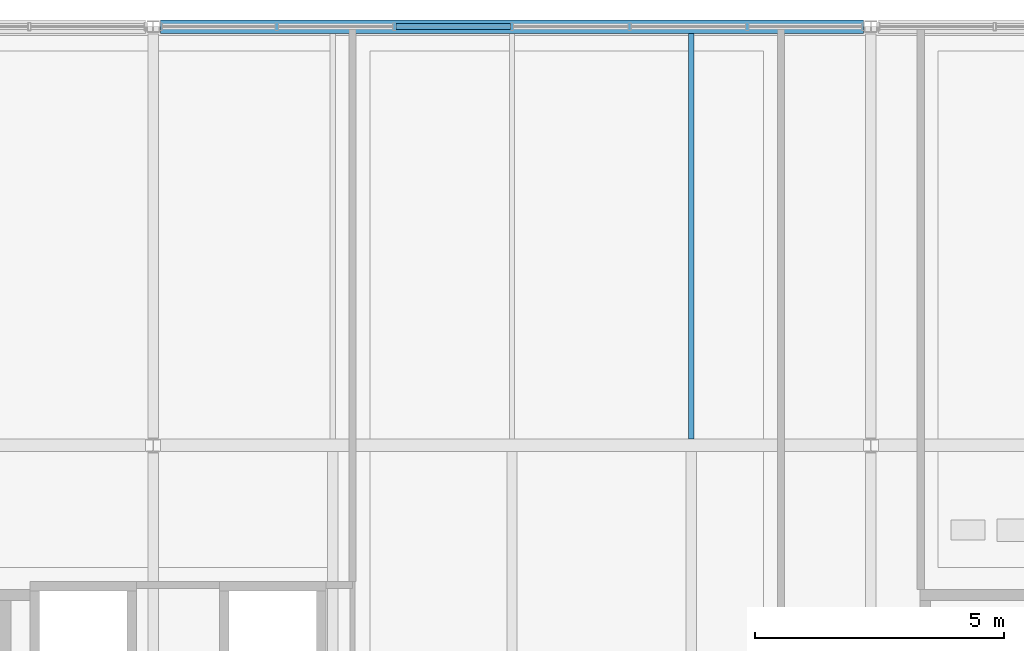
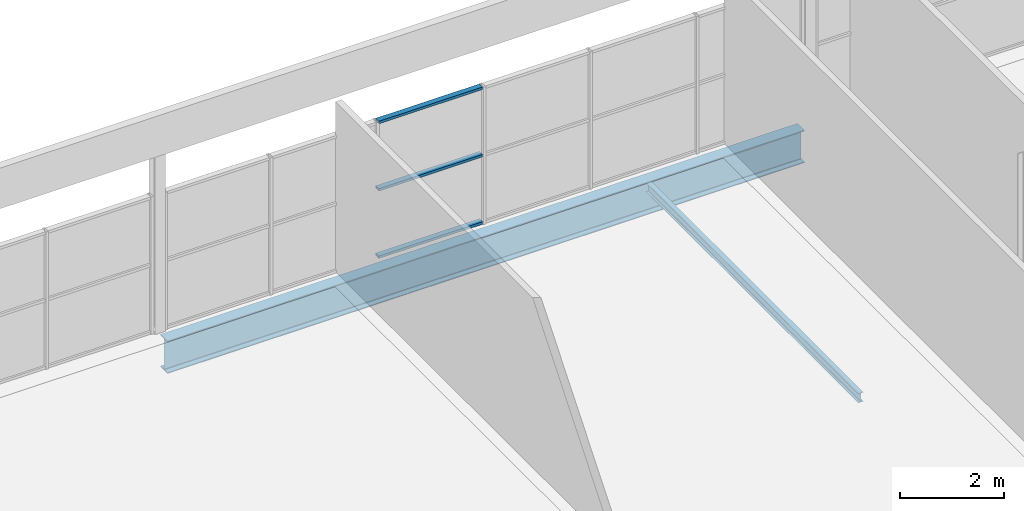
# One storey, part 22 of 43: 3 members, 2 beams, 1 element without a shape of its own.
"""IFC4 building model written with IfcOpenShell, lengths in metres."""

from ifc_helpers import new_model, si_unit, direction, frame, origin, origin_2d, place, context, subcontext, project, spatial, hollow_rectangle, i_section, extrude, material, material_profile, profile_set, type_object, element, aggregate, save


model = new_model("IFC4")

# Units and contexts
model_context = context("Model", 3, precision=1e-05, world=origin(), true_north=direction((0.0, 1.0)))
body_context = subcontext(model_context, "Body", "Model", "MODEL_VIEW")
ifc_project = project(units=[si_unit("LENGTHUNIT", "METRE"), si_unit("AREAUNIT", "SQUARE_METRE"), si_unit("VOLUMEUNIT", "CUBIC_METRE"), si_unit("PLANEANGLEUNIT", "RADIAN"), si_unit("MASSUNIT", "GRAM", prefix="KILO"), si_unit("THERMODYNAMICTEMPERATUREUNIT", "KELVIN")], contexts=[model_context])

# Site, building, storey
site_placement = place(None, origin())
site = spatial("IfcSite", under=ifc_project, at=site_placement, CompositionType="ELEMENT")
building_placement = place(site_placement, origin())
building = spatial("IfcBuilding", under=site, at=building_placement, Name="Nduvali Passage Aquatics Centre", CompositionType="ELEMENT")
storey_placement = place(building_placement, frame((0.0, 0.0, 17.39990234375)))
storey = spatial("IfcBuildingStorey", under=building, at=storey_placement, Name="L04", CompositionType="ELEMENT", Elevation=17.39990234375)

# Curtain wall, members
ifc_material_1 = material(Name="Aluminium EN AW-6063 T6", Category="aluminium")
curtain_wall_type = type_object("IfcCurtainWallType", Name="ENV-CW-WELL", PredefinedType="NOTDEFINED", material=ifc_material_1)
curtain_wall_placement = place(storey_placement, origin())
curtain_wall = element("IfcCurtainWall", 1, at=curtain_wall_placement, inside=storey, type_object=curtain_wall_type, Name="L04 North Avenue Recovery Lounge CW 111", PredefinedType="NOTDEFINED")
ifc_material_profile_1 = material_profile(ifc_material_1, hollow_rectangle(XDim=0.1201171875, YDim=0.06005859375, WallThickness=0.00390625, at=origin_2d()), Name="ALU TRANSOM 120x60x4")
ifc_profile_set_1 = profile_set([ifc_material_profile_1], Name="Aluminium EN AW-6063 T6")
member_type = type_object("IfcMemberType", Name="ENV-MEM-TRN60", PredefinedType="USERDEFINED", material=ifc_profile_set_1)
member_1_placement = place(storey_placement, frame((87.669921875, 117.60009765625, 0.030029296875), z_axis=(1.0, 0.0, 0.0), x_axis=(0.0, 1.0, 0.0)))
member_1 = element("IfcMember", 2, at=member_1_placement, type_object=member_type, Name="North Avenue Recovery Lounge CW Transom B3-R0", ObjectType="TRANSOM", PredefinedType="USERDEFINED", context=body_context, shape_type="SweptSolid", body=[
    extrude(hollow_rectangle(XDim=0.1201171875, YDim=0.06005859375, WallThickness=0.00390625, at=origin_2d()), origin(), (0.0, 0.0, 1.0), 2.300048828125),
])
member_2_placement = place(storey_placement, frame((87.669921875, 117.60009765625, 1.60693359375), z_axis=(1.0, 0.0, 0.0), x_axis=(0.0, 1.0, 0.0)))
member_2 = element("IfcMember", 3, at=member_2_placement, type_object=member_type, Name="North Avenue Recovery Lounge CW Transom B3-R1", ObjectType="TRANSOM", PredefinedType="USERDEFINED", context=body_context, shape_type="SweptSolid", body=[
    extrude(hollow_rectangle(XDim=0.1201171875, YDim=0.06005859375, WallThickness=0.00390625, at=origin_2d()), origin(), (0.0, 0.0, 1.0), 2.300048828125),
])
member_3_placement = place(storey_placement, frame((87.669921875, 117.60009765625, 3.183837890625), z_axis=(1.0, 0.0, 0.0), x_axis=(0.0, 1.0, 0.0)))
member_3 = element("IfcMember", 4, at=member_3_placement, type_object=member_type, Name="North Avenue Recovery Lounge CW Transom B3-R2", ObjectType="TRANSOM", PredefinedType="USERDEFINED", context=body_context, shape_type="SweptSolid", body=[
    extrude(hollow_rectangle(XDim=0.1201171875, YDim=0.06005859375, WallThickness=0.00390625, at=origin_2d()), origin(), (0.0, 0.0, 1.0), 2.300048828125),
])
aggregate(curtain_wall, [member_1, member_2, member_3])

# Beams
ifc_material_2 = material(Name="Steel S355", Category="steel")
ifc_material_profile_2 = material_profile(ifc_material_2, i_section(OverallWidth=0.2666015625, OverallDepth=0.76220703125, WebThickness=0.014404296875, FlangeThickness=0.021484375, FilletRadius=0.0166015625, at=origin_2d()), Name="UKB 762x267x173")
ifc_profile_set_2 = profile_set([ifc_material_profile_2], Name="Steel S355")
beam_type_1 = type_object("IfcBeamType", Name="STR-BM-UKB762-EXT", PredefinedType="BEAM", material=ifc_profile_set_2)
beam_1_placement = place(storey_placement, frame((82.949951171875, 117.60009765625, -0.614990234375), z_axis=(1.0, 0.0, 0.0), x_axis=(0.0, 1.0, 0.0)))
element("IfcBeam", 5, at=beam_1_placement, inside=storey, type_object=beam_type_1, Name="L04 Primary X-Girder B4CE-1350", PredefinedType="BEAM", context=body_context, shape_type="SweptSolid", body=[
    extrude(i_section(OverallWidth=0.2666015625, OverallDepth=0.76220703125, WebThickness=0.014404296875, FlangeThickness=0.021484375, FilletRadius=0.0166015625, at=origin_2d()), origin(), (0.0, 0.0, 1.0), 14.10009765625),
])
ifc_material_profile_3 = material_profile(ifc_material_2, i_section(OverallWidth=0.110107421875, OverallDepth=0.219970703125, WebThickness=0.005859375, FlangeThickness=0.00927734375, FilletRadius=0.011962890625, at=origin_2d()), Name="IPE 220")
ifc_profile_set_3 = profile_set([ifc_material_profile_3], Name="Steel S355")
beam_type_2 = type_object("IfcBeamType", Name="STR-JST-IPE220", PredefinedType="JOIST", material=ifc_profile_set_3)
beam_2_placement = place(storey_placement, frame((93.60009765625, 109.326904296875, -0.343994140625), z_axis=(0.0, 1.0, 0.0), x_axis=(-1.0, 0.0, 0.0)))
element("IfcBeam", 6, at=beam_2_placement, inside=storey, type_object=beam_type_2, Name="L04 Secondary Joist J9-1433", PredefinedType="JOIST", context=body_context, shape_type="SweptSolid", body=[
    extrude(i_section(OverallWidth=0.110107421875, OverallDepth=0.219970703125, WebThickness=0.005859375, FlangeThickness=0.00927734375, FilletRadius=0.011962890625, at=origin_2d()), origin(), (0.0, 0.0, 1.0), 8.139892578125),
])

save(model, "model.ifc")
